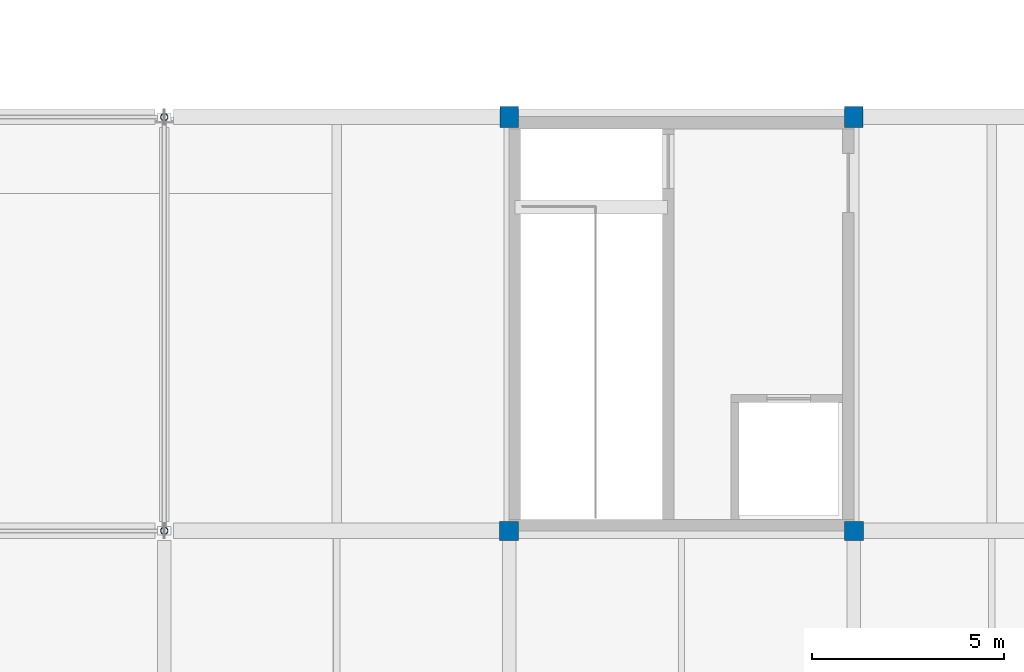
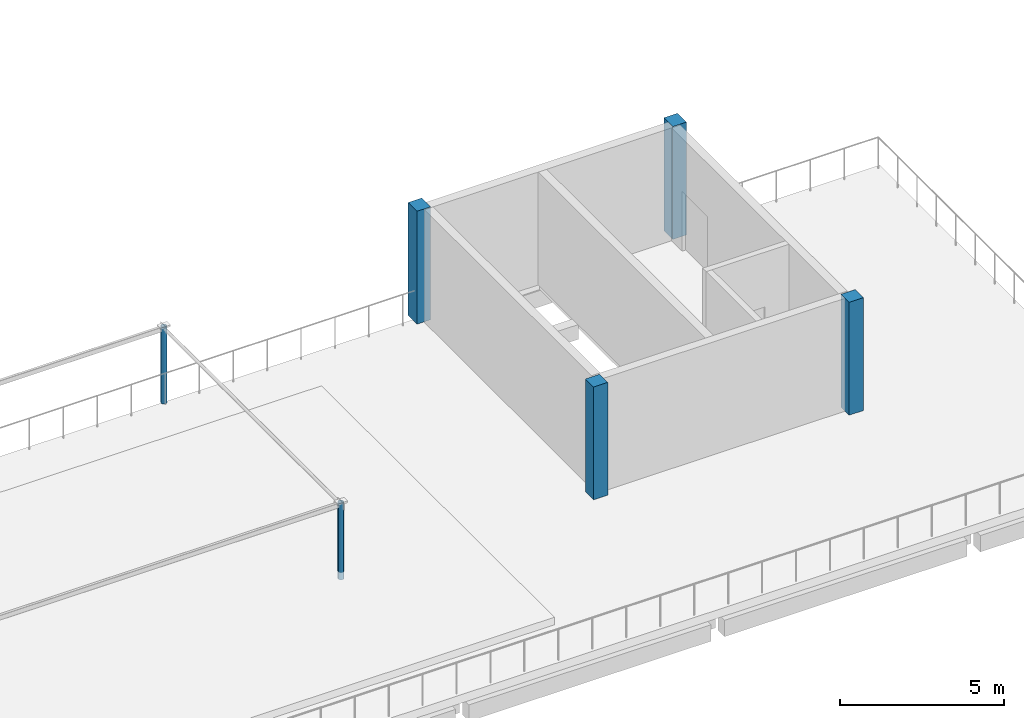
# One storey, part 6 of 33: 6 columns.
"""IFC4 building model written with IfcOpenShell, lengths in metres."""

from ifc_helpers import new_model, si_unit, direction, frame, origin, origin_2d, place, context, subcontext, project, spatial, rectangle, hollow_circle, extrude, material, material_profile, profile_set, type_object, element, save


model = new_model("IFC4")

# Units and contexts
model_context = context("Model", 3, precision=1e-05, world=origin(), true_north=direction((0.0, 1.0)))
body_context = subcontext(model_context, "Body", "Model", "MODEL_VIEW")
ifc_project = project(units=[si_unit("LENGTHUNIT", "METRE"), si_unit("AREAUNIT", "SQUARE_METRE"), si_unit("VOLUMEUNIT", "CUBIC_METRE"), si_unit("PLANEANGLEUNIT", "RADIAN"), si_unit("MASSUNIT", "GRAM", prefix="KILO")], contexts=[model_context])

# Site, building, storey
site_placement = place(None, origin())
site = spatial("IfcSite", under=ifc_project, at=site_placement, CompositionType="ELEMENT")
building_placement = place(site_placement, origin())
building = spatial("IfcBuilding", under=site, at=building_placement, Name="Lusvemor Sports Hall", CompositionType="ELEMENT")
storey_placement = place(building_placement, frame((0.0, 0.0, 19.199951171875)))
storey = spatial("IfcBuildingStorey", under=building, at=storey_placement, Name="L04", CompositionType="ELEMENT", Elevation=19.199951171875)

# Columns
ifc_material_1 = material(Name="Steel S355", Category="steel")
ifc_material_profile_1 = material_profile(ifc_material_1, hollow_circle(Radius=0.096923828125, WallThickness=0.010009765625, at=origin_2d()), Name="CHS193.7x10.0")
ifc_profile_set_1 = profile_set([ifc_material_profile_1], Name="Steel S355")
column_type_1 = type_object("IfcColumnType", Name="COL_STAIR_POST", PredefinedType="COLUMN", material=ifc_profile_set_1)
for number, where, z_axis, x_axis, name in (
    (1, (93.60009765625, 104.39990234375, 0.0), (0.0, 0.0, 1.0), (1.0, 0.0, 0.0), "Garden Pergola Column PERG-L04-B-1B"),
    (2, (93.60009765625, 115.199951171875, 0.0), (0.0, 0.0, 1.0), (1.0, 0.0, 0.0), "Garden Pergola Column PERG-L04-B-2B"),
):
    element("IfcColumn", number, at=place(storey_placement, frame(where, z_axis=z_axis, x_axis=x_axis)), inside=storey, type_object=column_type_1, Name=name, PredefinedType="COLUMN", context=body_context, shape_type="SweptSolid", body=[
        extrude(hollow_circle(Radius=0.096923828125, WallThickness=0.010009765625, at=origin_2d()), origin(), (0.0, 0.0, 1.0), 2.85009765625),
    ])
ifc_material_2 = material(Name="Concrete C40/50", Category="concrete")
ifc_material_profile_2 = material_profile(ifc_material_2, rectangle(XDim=0.47998046875, YDim=0.5400390625, at=origin_2d()), Name="RC480x540")
ifc_profile_set_2 = profile_set([ifc_material_profile_2], Name="Concrete C40/50")
column_type_2 = type_object("IfcColumnType", Name="COL_UPPER_E", PredefinedType="COLUMN", material=ifc_profile_set_2)
for number, where, z_axis, x_axis, name in (
    (3, (102.60009765625, 115.199951171875, 0.0), (0.0, 0.0, 1.0), (1.0, 0.0, 0.0), "Column 11/Q (L04)"),
    (4, (111.60009765625, 115.199951171875, 0.0), (0.0, 0.0, 1.0), (1.0, 0.0, 0.0), "Column 12/Q (L04)"),
):
    element("IfcColumn", number, at=place(storey_placement, frame(where, z_axis=z_axis, x_axis=x_axis)), inside=storey, type_object=column_type_2, Name=name, PredefinedType="COLUMN", context=body_context, shape_type="SweptSolid", body=[
        extrude(rectangle(XDim=0.47998046875, YDim=0.5400390625, at=origin_2d()), origin(), (0.0, 0.0, 1.0), 4.199951171875),
    ])
ifc_material_3 = material(Name="Concrete C40/50", Category="concrete")
ifc_material_profile_3 = material_profile(ifc_material_3, rectangle(XDim=0.5, YDim=0.5, at=origin_2d()), Name="RC500x500")
ifc_profile_set_3 = profile_set([ifc_material_profile_3], Name="Concrete C40/50")
column_type_3 = type_object("IfcColumnType", Name="COL_UPPER_I", PredefinedType="COLUMN", material=ifc_profile_set_3)
for number, where, z_axis, x_axis, name in (
    (5, (102.60009765625, 104.39990234375, 0.0), (0.0, 0.0, 1.0), (1.0, 0.0, 0.0), "Column 11/P (L04)"),
    (6, (111.60009765625, 104.39990234375, 0.0), (0.0, 0.0, 1.0), (1.0, 0.0, 0.0), "Column 12/P (L04)"),
):
    element("IfcColumn", number, at=place(storey_placement, frame(where, z_axis=z_axis, x_axis=x_axis)), inside=storey, type_object=column_type_3, Name=name, PredefinedType="COLUMN", context=body_context, shape_type="SweptSolid", body=[
        extrude(rectangle(XDim=0.5, YDim=0.5, at=origin_2d()), origin(), (0.0, 0.0, 1.0), 4.199951171875),
    ])

save(model, "model.ifc")
